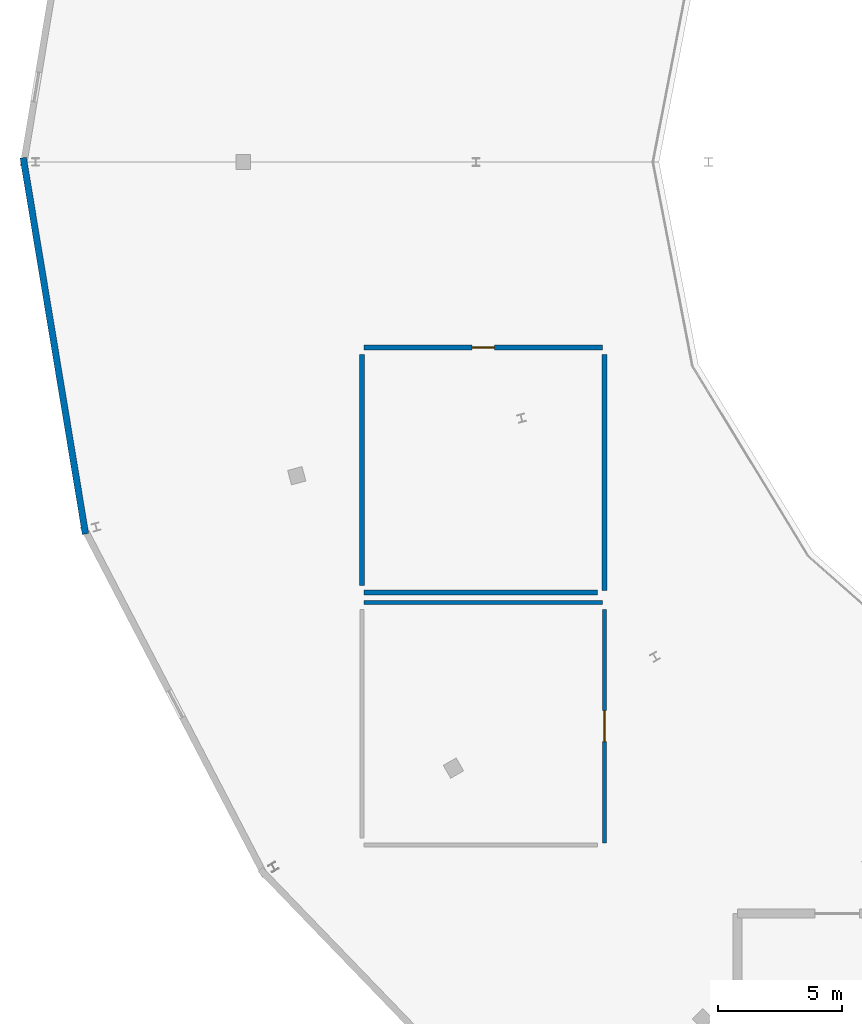
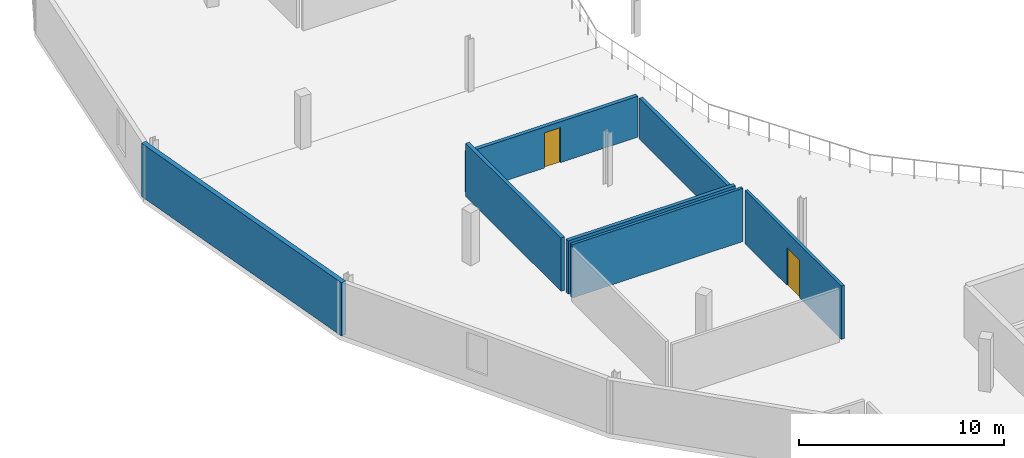
# One storey, part 26 of 35: 7 walls, 2 doors, 2 openings.
"""IFC4 building model written with IfcOpenShell, lengths in metres."""

from ifc_helpers import new_model, si_unit, direction, frame, frame_2d, origin, place, context, subcontext, project, spatial, rectangle, extrude, material, layer, layer_set, type_object, element, fill, save


model = new_model("IFC4")

# Units and contexts
model_context = context("Model", 3, precision=1e-05, world=origin(), true_north=direction((0.0, 1.0)))
body_context = subcontext(model_context, "Body", "Model", "MODEL_VIEW")
ifc_project = project(units=[si_unit("LENGTHUNIT", "METRE"), si_unit("AREAUNIT", "SQUARE_METRE"), si_unit("VOLUMEUNIT", "CUBIC_METRE"), si_unit("PLANEANGLEUNIT", "RADIAN"), si_unit("MASSUNIT", "GRAM", prefix="KILO")], contexts=[model_context])

# Site, building, storey
site_placement = place(None, origin())
site = spatial("IfcSite", under=ifc_project, at=site_placement, CompositionType="ELEMENT")
building_placement = place(site_placement, origin())
building = spatial("IfcBuilding", under=site, at=building_placement, Name="Kalgoora Escarpment Arena", CompositionType="ELEMENT")
storey_placement = place(building_placement, frame((0.0, 0.0, 23.39990234375)))
storey = spatial("IfcBuildingStorey", under=building, at=storey_placement, Name="L05", CompositionType="ELEMENT", Elevation=23.39990234375)

# Walls
ifc_material_1 = material(Name="Media ring insulated acoustic facade wall 40 MPa", Category="concrete")
ifc_layer_1 = layer(ifc_material_1, 0.264892578125)
ifc_layer_set_1 = layer_set([ifc_layer_1], Name="WAL-EXT-265")
wall_type_1 = type_object("IfcWallType", Name="WAL-EXT-265", PredefinedType="SOLIDWALL", material=ifc_layer_set_1)
wall_1_placement = place(storey_placement, frame((22.622802734375, 48.9619140625, 0.0), z_axis=(0.0, 0.0, 1.0), x_axis=(-0.163253657255, 0.986584128898, 0.0)))
element("IfcWall", 1, at=wall_1_placement, inside=storey, type_object=wall_type_1, Name="L05 limestone-faced external wall 088", PredefinedType="SOLIDWALL", context=body_context, shape_type="SweptSolid", body=[
    extrude(rectangle(XDim=15.418212890625, YDim=0.264892578125, at=frame_2d((7.708984375, 0.0))), origin(), (0.0, 0.0, 1.0), 3.18017578125),
])
ifc_material_2 = material(Name="Broadcast acoustic double-stud partition", Category="gypsum")
ifc_layer_2 = layer(ifc_material_2, 0.1650390625)
ifc_layer_set_2 = layer_set([ifc_layer_2], Name="WAL-MED-165")
wall_type_2 = type_object("IfcWallType", Name="WAL-MED-165", PredefinedType="PARTITIONING", material=ifc_layer_set_2)
wall_2_placement = place(storey_placement, frame((33.8798828125, 46.199951171875, 0.0), z_axis=(0.0, 0.0, 1.0), x_axis=(1.0, 0.0, 0.0)))
element("IfcWall", 2, at=wall_2_placement, inside=storey, type_object=wall_type_2, Name="L05 Venue Operations Command partition wall", PredefinedType="PARTITIONING", context=body_context, shape_type="SweptSolid", body=[
    extrude(rectangle(XDim=9.64013671875, YDim=0.1650390625, at=frame_2d((4.820068359375, 0.0))), origin(), (0.0, 0.0, 1.0), 3.18017578125),
])

# Wall, opening, door
wall_3_placement = place(storey_placement, frame((43.60009765625, 45.915283203125, 0.0), z_axis=(0.0, 0.0, 1.0), x_axis=(0.0, -1.0, 0.0)))
wall_3 = element("IfcWall", 3, at=wall_3_placement, inside=storey, type_object=wall_type_2, Name="L05 Venue Operations Command partition wall", PredefinedType="PARTITIONING", context=body_context, shape_type="SweptSolid", body=[
    extrude(rectangle(XDim=9.435302734375, YDim=0.1650390625, at=frame_2d((4.7177734375, 0.0))), origin(), (0.0, 0.0, 1.0), 3.18017578125),
])
opening_1_placement = place(wall_3_placement, frame((4.092529296875, 0.0, 0.0)))
opening_1 = element("IfcOpeningElement", 4, at=opening_1_placement, cuts=wall_3, Name="Opening FD-I162", PredefinedType="OPENING", context=body_context, shape_type="SweptSolid", body=[
    extrude(rectangle(XDim=1.25, YDim=2.25, at=frame_2d((0.625, 1.125))), frame((0.0, 0.092529296875, 0.0), z_axis=(0.0, -1.0, 0.0), x_axis=(1.0, 0.0, 0.0)), (0.0, 0.0, 1.0), 0.18505859375),
])
ifc_material_3 = material(Name="Acoustic seal broadcast studio leaf")
door_type_1 = type_object("IfcDoorType", Name="DR-MED-1250", OperationType="NOTDEFINED", PredefinedType="DOOR", material=ifc_material_3)
door_1_placement = place(opening_1_placement, origin())
door_1 = element("IfcDoor", 5, at=door_1_placement, inside=storey, type_object=door_type_1, Name="Venue Operations Command entrance door", OperationType="SINGLE_SWING_RIGHT", OverallHeight=2.25, OverallWidth=1.25, PredefinedType="DOOR", context=body_context, shape_type="SweptSolid", body=[
    extrude(rectangle(XDim=1.25, YDim=2.25, at=frame_2d((0.625, 1.125))), frame((0.0, 0.02490234375, 0.0), z_axis=(0.0, -1.0, 0.0), x_axis=(1.0, 0.0, 0.0)), (0.0, 0.0, 1.0), 0.050048828125),
])
fill(opening_1, door_1)

ifc_material_4 = material(Name="Acoustic masonry plant wall Concrete N40 (fc' 40 MPa)", Category="masonry")
ifc_layer_3 = layer(ifc_material_4, 0.205078125)
ifc_layer_set_3 = layer_set([ifc_layer_3], Name="WAL-PLANT-205")
wall_type_3 = type_object("IfcWallType", Name="WAL-PLANT-205", PredefinedType="SOLIDWALL", material=ifc_layer_set_3)
wall_4_placement = place(storey_placement, frame((33.8798828125, 56.5, 0.0), z_axis=(0.0, 0.0, 1.0), x_axis=(1.0, 0.0, 0.0)))
wall_4 = element("IfcWall", 6, at=wall_4_placement, inside=storey, type_object=wall_type_3, Name="L05 Roof Bowl HVAC Plant partition wall", PredefinedType="SOLIDWALL", context=body_context, shape_type="SweptSolid", body=[
    extrude(rectangle(XDim=9.64013671875, YDim=0.205078125, at=frame_2d((4.820068359375, 0.0))), origin(), (0.0, 0.0, 1.0), 2.445068359375),
])
opening_2_placement = place(wall_4_placement, frame((4.3701171875, 0.0, 0.0)))
opening_2 = element("IfcOpeningElement", 7, at=opening_2_placement, cuts=wall_4, Name="Opening FD-I177", PredefinedType="OPENING", context=body_context, shape_type="SweptSolid", body=[
    extrude(rectangle(XDim=0.89990234375, YDim=2.10009765625, at=frame_2d((0.449951171875, 1.050048828125))), frame((0.0, 0.112548828125, 0.0), z_axis=(0.0, -1.0, 0.0), x_axis=(1.0, 0.0, 0.0)), (0.0, 0.0, 1.0), 0.22509765625),
])
ifc_material_5 = material(Name="Fire-rated steel riser access door", Category="steel")
door_type_2 = type_object("IfcDoorType", Name="DR-RISER-0900", OperationType="NOTDEFINED", PredefinedType="DOOR", material=ifc_material_5)
door_2_placement = place(opening_2_placement, origin())
door_2 = element("IfcDoor", 8, at=door_2_placement, inside=storey, type_object=door_type_2, Name="Roof Bowl HVAC Plant entrance door", OperationType="SINGLE_SWING_LEFT", OverallHeight=2.10009765625, OverallWidth=0.89990234375, PredefinedType="DOOR", context=body_context, shape_type="SweptSolid", body=[
    extrude(rectangle(XDim=0.89990234375, YDim=2.10009765625, at=frame_2d((0.449951171875, 1.050048828125))), frame((0.0, 0.02490234375, 0.0), z_axis=(0.0, -1.0, 0.0), x_axis=(1.0, 0.0, 0.0)), (0.0, 0.0, 1.0), 0.050048828125),
])
fill(opening_2, door_2)

# Walls
wall_5_placement = place(storey_placement, frame((43.60009765625, 56.215087890625, 0.0), z_axis=(0.0, 0.0, 1.0), x_axis=(0.0, -1.0, 0.0)))
element("IfcWall", 9, at=wall_5_placement, inside=storey, type_object=wall_type_3, Name="L05 Roof Bowl HVAC Plant partition wall", PredefinedType="SOLIDWALL", context=body_context, shape_type="SweptSolid", body=[
    extrude(rectangle(XDim=9.53515625, YDim=0.205078125, at=frame_2d((4.767578125, 0.0))), origin(), (0.0, 0.0, 1.0), 2.445068359375),
])
wall_6_placement = place(storey_placement, frame((43.315185546875, 46.60009765625, 0.0), z_axis=(0.0, 0.0, 1.0), x_axis=(-1.0, 0.0, 0.0)))
element("IfcWall", 10, at=wall_6_placement, inside=storey, type_object=wall_type_3, Name="L05 Roof Bowl HVAC Plant partition wall", PredefinedType="SOLIDWALL", context=body_context, shape_type="SweptSolid", body=[
    extrude(rectangle(XDim=9.435302734375, YDim=0.205078125, at=frame_2d((4.7177734375, 0.0))), origin(), (0.0, 0.0, 1.0), 3.18017578125),
])
wall_7_placement = place(storey_placement, frame((33.800048828125, 46.884765625, 0.0), z_axis=(0.0, 0.0, 1.0), x_axis=(0.0, 1.0, 0.0)))
element("IfcWall", 11, at=wall_7_placement, inside=storey, type_object=wall_type_3, Name="L05 Roof Bowl HVAC Plant partition wall", PredefinedType="SOLIDWALL", context=body_context, shape_type="SweptSolid", body=[
    extrude(rectangle(XDim=9.330322265625, YDim=0.205078125, at=frame_2d((4.6650390625, 0.0))), origin(), (0.0, 0.0, 1.0), 3.18017578125),
])

save(model, "model.ifc")
